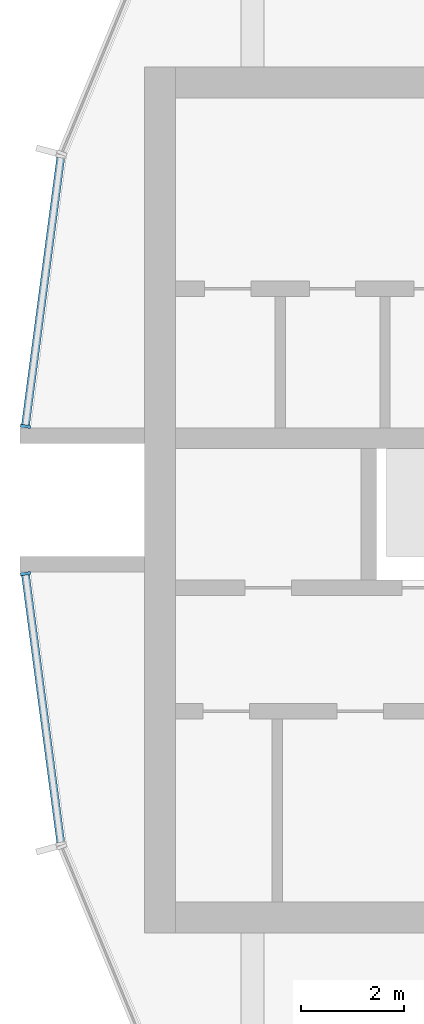
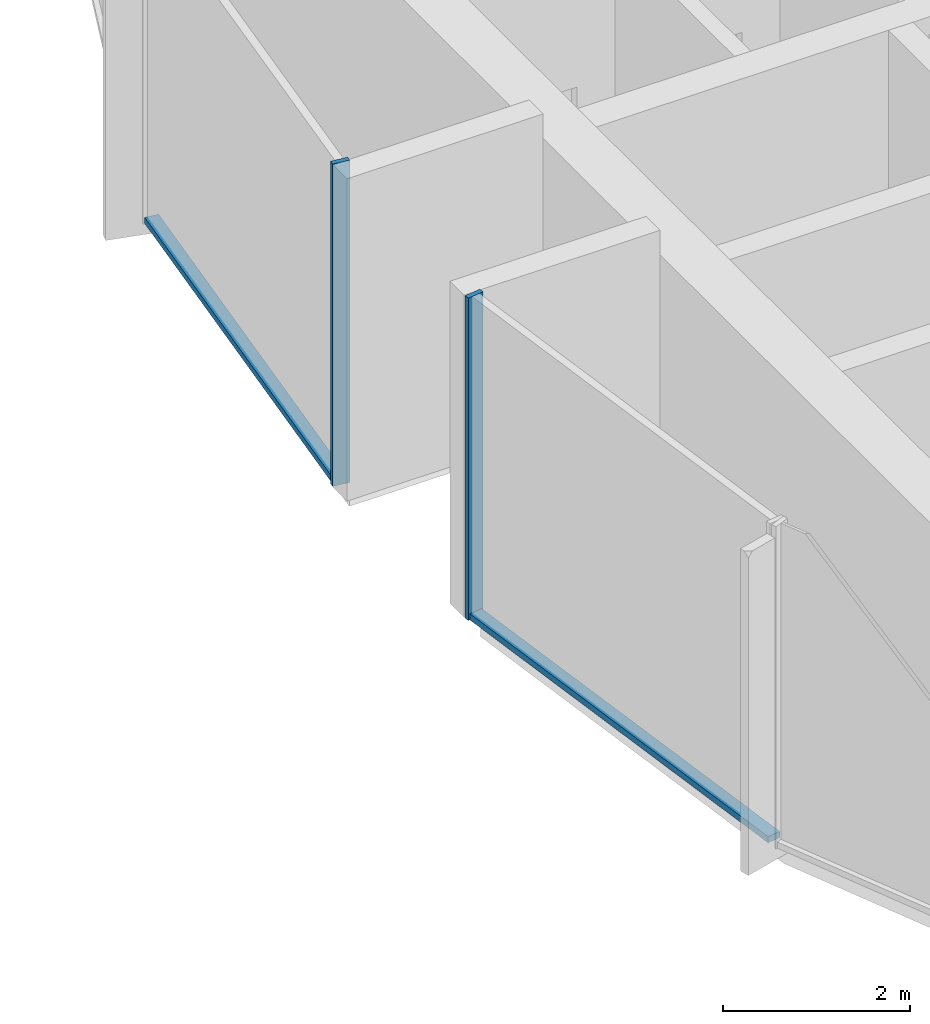
# One storey, part 3 of 15: 4 members, 2 elements without a shape of their own.
"""IFC4 building model written with IfcOpenShell, lengths in metres."""

from ifc_helpers import new_model, si_unit, direction, frame, origin, origin_2d, place, context, subcontext, project, spatial, rectangle, extrude, material, layer, layer_set, material_profile, profile_set, type_object, element, aggregate, save


model = new_model("IFC4")

# Units and contexts
model_context = context("Model", 3, precision=1e-05, world=origin(), true_north=direction((0.0, 1.0)))
body_context = subcontext(model_context, "Body", "Model", "MODEL_VIEW")
ifc_project = project(units=[si_unit("LENGTHUNIT", "METRE"), si_unit("AREAUNIT", "SQUARE_METRE"), si_unit("VOLUMEUNIT", "CUBIC_METRE"), si_unit("PLANEANGLEUNIT", "RADIAN"), si_unit("MASSUNIT", "GRAM", prefix="KILO")], contexts=[model_context])

# Site, building, storey
site_placement = place(None, origin())
site = spatial("IfcSite", under=ifc_project, at=site_placement, CompositionType="ELEMENT")
building_placement = place(site_placement, origin())
building = spatial("IfcBuilding", under=site, at=building_placement, Name="Torre Brocal", CompositionType="ELEMENT")
storey_placement = place(building_placement, frame((0.0, 0.0, 262.5)))
storey = spatial("IfcBuildingStorey", under=building, at=storey_placement, Name="L60", CompositionType="ELEMENT", Elevation=262.5)

# Curtain wall, member
ifc_material_1 = material(Name="Aluminium and glass", Category="aluminium")
ifc_layer = layer(ifc_material_1, 0.199951171875)
ifc_layer_set = layer_set([ifc_layer], Name="Aluminium and glass")
curtain_wall_type = type_object("IfcCurtainWallType", Name="CW-1B CURTAIN WALL 4200 HIGH", PredefinedType="NOTDEFINED", material=ifc_layer_set)
curtain_wall_1_placement = place(storey_placement, origin())
curtain_wall_1 = element("IfcCurtainWall", 1, at=curtain_wall_1_placement, inside=storey, type_object=curtain_wall_type, Name="CW-1B RUN 12", PredefinedType="NOTDEFINED")
ifc_material_2 = material(Name="Aluminium, dark anodised", Category="aluminium")
ifc_material_profile_1 = material_profile(ifc_material_2, rectangle(XDim=0.199951171875, YDim=0.06005859375, at=origin_2d()), Name="CW-1B MULLION 60X200")
ifc_profile_set_1 = profile_set([ifc_material_profile_1], Name="Aluminium, dark anodised")
member_type_1 = type_object("IfcMemberType", Name="CW-1B MULLION 60X200", PredefinedType="MULLION", material=ifc_profile_set_1)
member_1_placement = place(storey_placement, frame((54.2890625, 76.4296875, 0.0), z_axis=(0.0, 0.0, 1.0), x_axis=(0.991444861374, -0.13052619222, 0.0)))
member_1 = element("IfcMember", 2, at=member_1_placement, type_object=member_type_1, Name="CW1B-5 mullion 2", PredefinedType="MULLION", context=body_context, shape_type="SweptSolid", body=[
    extrude(rectangle(XDim=0.199951171875, YDim=0.06005859375, at=origin_2d()), origin(), (0.0, 0.0, 1.0), 4.199951171875),
])

curtain_wall_2_placement = place(storey_placement, origin())
curtain_wall_2 = element("IfcCurtainWall", 3, at=curtain_wall_2_placement, inside=storey, type_object=curtain_wall_type, Name="CW-1B RUN 13", PredefinedType="NOTDEFINED")
member_2_placement = place(storey_placement, frame((54.2890625, 73.5703125, 0.0), z_axis=(0.0, 0.0, 1.0), x_axis=(0.991444861374, 0.13052619222, 0.0)))
member_2 = element("IfcMember", 4, at=member_2_placement, type_object=member_type_1, Name="CW1B-5 mullion 1", PredefinedType="MULLION", context=body_context, shape_type="SweptSolid", body=[
    extrude(rectangle(XDim=0.199951171875, YDim=0.06005859375, at=origin_2d()), origin(), (0.0, 0.0, 1.0), 4.199951171875),
])

# Member
ifc_material_3 = material(Name="Aluminium, dark anodised", Category="aluminium")
ifc_material_profile_2 = material_profile(ifc_material_3, rectangle(XDim=0.159912109375, YDim=0.080078125, at=origin_2d()), Name="CW-1B TRANSOM 160X80")
ifc_profile_set_2 = profile_set([ifc_material_profile_2], Name="Aluminium, dark anodised")
member_type_2 = type_object("IfcMemberType", Name="CW-1B TRANSOM 160X80", PredefinedType="USERDEFINED", material=ifc_profile_set_2)
member_3_placement = place(storey_placement, frame((54.9755859375, 81.643798828125, 0.0400390625), z_axis=(-0.130542677827, -0.991442690863, 0.0), x_axis=(0.991442690863, -0.130542677827, 0.0)))
member_3 = element("IfcMember", 5, at=member_3_placement, type_object=member_type_2, Name="CW1B-5 transom 1.1", ObjectType="TRANSOM", PredefinedType="USERDEFINED", context=body_context, shape_type="SweptSolid", body=[
    extrude(rectangle(XDim=0.159912109375, YDim=0.080078125, at=origin_2d()), origin(), (0.0, 0.0, 1.0), 5.22900390625),
])

aggregate(curtain_wall_1, [member_1, member_3])

member_4_placement = place(storey_placement, frame((54.29296875, 73.54052734375, 0.0400390625), z_axis=(0.130542677827, -0.991442690863, 0.0), x_axis=(0.991442690863, 0.130542677827, 0.0)))
member_4 = element("IfcMember", 6, at=member_4_placement, type_object=member_type_2, Name="CW1B-5 transom 1.1", ObjectType="TRANSOM", PredefinedType="USERDEFINED", context=body_context, shape_type="SweptSolid", body=[
    extrude(rectangle(XDim=0.159912109375, YDim=0.080078125, at=origin_2d()), origin(), (0.0, 0.0, 1.0), 5.22900390625),
])

aggregate(curtain_wall_2, [member_2, member_4])

save(model, "model.ifc")
